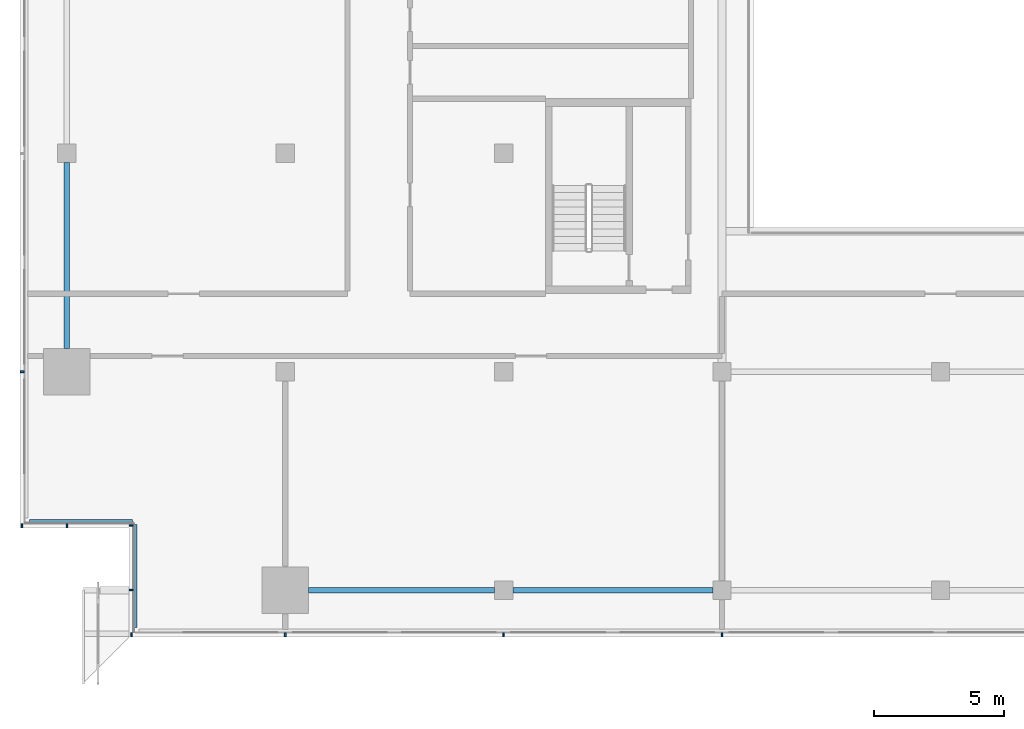
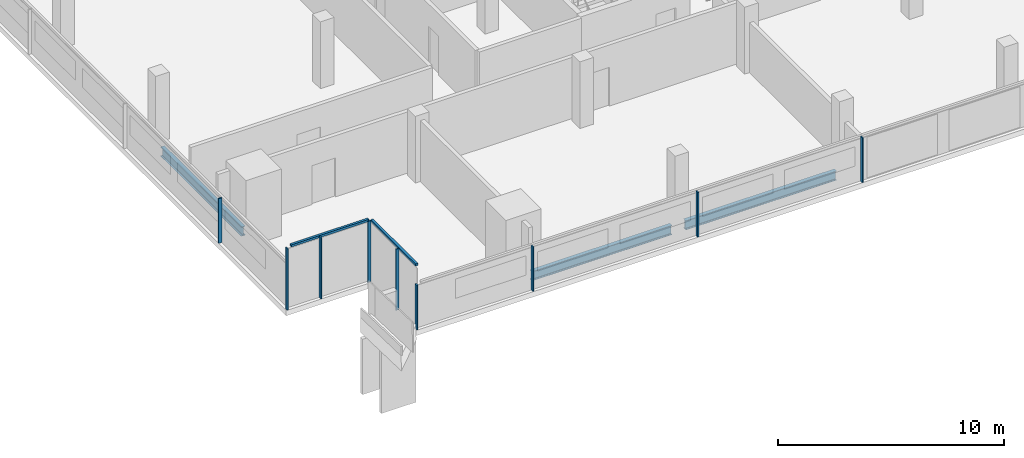
# One storey, part 2 of 24: 11 members, 3 beams, 4 elements without a shape of their own.
"""IFC4 building model written with IfcOpenShell, lengths in metres."""

from ifc_helpers import new_model, si_unit, direction, frame, origin, origin_2d, place, context, subcontext, project, spatial, rectangle, i_section, extrude, material, material_profile, profile_set, type_object, element, aggregate, save


model = new_model("IFC4")

# Units and contexts
model_context = context("Model", 3, precision=1e-05, world=origin(), true_north=direction((0.0, 1.0)))
body_context = subcontext(model_context, "Body", "Model", "MODEL_VIEW")
ifc_project = project(units=[si_unit("LENGTHUNIT", "METRE"), si_unit("AREAUNIT", "SQUARE_METRE"), si_unit("VOLUMEUNIT", "CUBIC_METRE"), si_unit("PLANEANGLEUNIT", "RADIAN"), si_unit("MASSUNIT", "GRAM", prefix="KILO")], contexts=[model_context])

# Site, building, storey
site_placement = place(None, origin())
site = spatial("IfcSite", under=ifc_project, at=site_placement, CompositionType="ELEMENT")
building_placement = place(site_placement, origin())
building = spatial("IfcBuilding", under=site, at=building_placement, Name="Saffron Gate Tower", CompositionType="ELEMENT")
storey_placement = place(building_placement, frame((0.0, 0.0, 190.64990234375)))
storey = spatial("IfcBuildingStorey", under=building, at=storey_placement, Name="L47", CompositionType="ELEMENT", Elevation=190.64990234375)

# Beams
ifc_material_1 = material(Name="Structural steel S355", Category="steel")
ifc_material_profile_1 = material_profile(ifc_material_1, i_section(OverallWidth=0.199951171875, OverallDepth=0.5, WebThickness=0.01025390625, FlangeThickness=0.01611328125, FilletRadius=0.02099609375, at=origin_2d()))
ifc_profile_set_1 = profile_set([ifc_material_profile_1], Name="Structural steel S355")
beam_type = type_object("IfcBeamType", Name="B11 IPE 500", PredefinedType="SPANDREL", material=ifc_profile_set_1)
for number, where, z_axis, x_axis, name in (
    (1, (49.800048828125, 41.10009765625, -0.52978515625), (0.0, 1.0, 0.0), (-1.0, 0.0, 0.0), "B11 SPANDREL BEAM"),
    (2, (59.10009765625, 31.800048828125, -0.52978515625), (1.0, 0.0, 0.0), (0.0, 1.0, 0.0), "B11 SPANDREL BEAM"),
):
    element("IfcBeam", number, at=place(storey_placement, frame(where, z_axis=z_axis, x_axis=x_axis)), inside=storey, type_object=beam_type, Name=name, PredefinedType="SPANDREL", context=body_context, shape_type="SweptSolid", body=[
        extrude(i_section(OverallWidth=0.199951171875, OverallDepth=0.5, WebThickness=0.01025390625, FlangeThickness=0.01611328125, FilletRadius=0.02099609375, at=origin_2d()), origin(), (0.0, 0.0, 1.0), 7.14990234375),
    ])
beam_placement = place(storey_placement, frame((66.949951171875, 31.800048828125, -0.52978515625), z_axis=(1.0, 0.0, 0.0), x_axis=(0.0, 1.0, 0.0)))
element("IfcBeam", 3, at=beam_placement, inside=storey, type_object=beam_type, Name="B11 SPANDREL BEAM", PredefinedType="SPANDREL", context=body_context, shape_type="SweptSolid", body=[
    extrude(i_section(OverallWidth=0.199951171875, OverallDepth=0.5, WebThickness=0.01025390625, FlangeThickness=0.01611328125, FilletRadius=0.02099609375, at=origin_2d()), origin(), (0.0, 0.0, 1.0), 7.699951171875),
])

# Curtain wall, members
ifc_material_2 = material(Name="Aluminium, bronze anodised", Category="aluminium")
curtain_wall_type_1 = type_object("IfcCurtainWallType", Name="CWS1 curtain wall front facade", PredefinedType="NOTDEFINED", material=ifc_material_2)
curtain_wall_1_placement = place(storey_placement, origin())
curtain_wall_1 = element("IfcCurtainWall", 4, at=curtain_wall_1_placement, inside=storey, type_object=curtain_wall_type_1, Name="CWS1 run 1", PredefinedType="NOTDEFINED")
ifc_material_profile_2 = material_profile(ifc_material_2, rectangle(XDim=0.159912109375, YDim=0.06005859375, at=origin_2d()))
ifc_profile_set_2 = profile_set([ifc_material_profile_2], Name="Aluminium, bronze anodised")
member_type_1 = type_object("IfcMemberType", Name="CWS1 mullion 60x160", PredefinedType="MULLION", material=ifc_profile_set_2)
member_1_placement = place(storey_placement, frame((52.280029296875, 30.080078125, 0.0), z_axis=(0.0, 0.0, 1.0), x_axis=(0.0, 1.0, 0.0)))
member_1 = element("IfcMember", 5, at=member_1_placement, type_object=member_type_1, Name="CWS1 mullion 1", PredefinedType="MULLION", context=body_context, shape_type="SweptSolid", body=[
    extrude(rectangle(XDim=0.159912109375, YDim=0.06005859375, at=origin_2d()), origin(), (0.0, 0.0, 1.0), 2.41015625),
])
member_2_placement = place(storey_placement, frame((58.199951171875, 30.080078125, 0.0), z_axis=(0.0, 0.0, 1.0), x_axis=(0.0, 1.0, 0.0)))
member_2 = element("IfcMember", 6, at=member_2_placement, type_object=member_type_1, Name="CWS1 mullion 2", PredefinedType="MULLION", context=body_context, shape_type="SweptSolid", body=[
    extrude(rectangle(XDim=0.159912109375, YDim=0.06005859375, at=origin_2d()), origin(), (0.0, 0.0, 1.0), 2.41015625),
])
member_3_placement = place(storey_placement, frame((66.60009765625, 30.080078125, 0.0), z_axis=(0.0, 0.0, 1.0), x_axis=(0.0, 1.0, 0.0)))
member_3 = element("IfcMember", 7, at=member_3_placement, type_object=member_type_1, Name="CWS1 mullion 3", PredefinedType="MULLION", context=body_context, shape_type="SweptSolid", body=[
    extrude(rectangle(XDim=0.159912109375, YDim=0.06005859375, at=origin_2d()), origin(), (0.0, 0.0, 1.0), 2.41015625),
])
member_4_placement = place(storey_placement, frame((75.0, 30.080078125, 0.0), z_axis=(0.0, 0.0, 1.0), x_axis=(0.0, 1.0, 0.0)))
member_4 = element("IfcMember", 8, at=member_4_placement, type_object=member_type_1, Name="CWS1 mullion 4", PredefinedType="MULLION", context=body_context, shape_type="SweptSolid", body=[
    extrude(rectangle(XDim=0.159912109375, YDim=0.06005859375, at=origin_2d()), origin(), (0.0, 0.0, 1.0), 2.41015625),
])
aggregate(curtain_wall_1, [member_1, member_2, member_3, member_4])

# Curtain wall, member
curtain_wall_type_2 = type_object("IfcCurtainWallType", Name="CWS2 curtain wall side facades", PredefinedType="NOTDEFINED", material=ifc_material_2)
curtain_wall_2_placement = place(storey_placement, origin())
curtain_wall_2 = element("IfcCurtainWall", 9, at=curtain_wall_2_placement, inside=storey, type_object=curtain_wall_type_2, Name="CWS2 run 10", PredefinedType="NOTDEFINED")
ifc_material_profile_3 = material_profile(ifc_material_2, rectangle(XDim=0.159912109375, YDim=0.06005859375, at=origin_2d()))
ifc_profile_set_3 = profile_set([ifc_material_profile_3], Name="Aluminium, bronze anodised")
member_type_2 = type_object("IfcMemberType", Name="CWS2 mullion 60x160", PredefinedType="MULLION", material=ifc_profile_set_3)
member_5_placement = place(storey_placement, frame((48.080078125, 40.199951171875, 0.0), z_axis=(0.0, 0.0, 1.0), x_axis=(1.0, 0.0, 0.0)))
member_5 = element("IfcMember", 10, at=member_5_placement, type_object=member_type_2, Name="CWS2 mullion 5", PredefinedType="MULLION", context=body_context, shape_type="SweptSolid", body=[
    extrude(rectangle(XDim=0.159912109375, YDim=0.06005859375, at=origin_2d()), origin(), (0.0, 0.0, 1.0), 2.41015625),
])
aggregate(curtain_wall_2, [member_5])

curtain_wall_type_3 = type_object("IfcCurtainWallType", Name="CWS4 curtain wall corner returns", PredefinedType="NOTDEFINED", material=ifc_material_2)
curtain_wall_3_placement = place(storey_placement, origin())
curtain_wall_3 = element("IfcCurtainWall", 11, at=curtain_wall_3_placement, inside=storey, type_object=curtain_wall_type_3, Name="CWS4 run 11", PredefinedType="NOTDEFINED")
ifc_material_profile_4 = material_profile(ifc_material_2, rectangle(XDim=0.1201171875, YDim=0.1201171875, at=origin_2d()))
ifc_profile_set_4 = profile_set([ifc_material_profile_4], Name="Aluminium, bronze anodised")
member_type_3 = type_object("IfcMemberType", Name="CWS4 head transom", PredefinedType="USERDEFINED", material=ifc_profile_set_4)
member_6_placement = place(storey_placement, frame((48.367919921875, 34.447998046875, 3.239990234375), z_axis=(1.0, 0.0, 0.0), x_axis=(0.0, 1.0, 0.0)))
member_6 = element("IfcMember", 12, at=member_6_placement, type_object=member_type_3, Name="CWS4 head transom", ObjectType="TRANSOM", PredefinedType="USERDEFINED", context=body_context, shape_type="SweptSolid", body=[
    extrude(rectangle(XDim=0.1201171875, YDim=0.1201171875, at=origin_2d()), origin(), (0.0, 0.0, 1.0), 3.9599609375),
])

curtain_wall_4_placement = place(storey_placement, origin())
curtain_wall_4 = element("IfcCurtainWall", 13, at=curtain_wall_4_placement, inside=storey, type_object=curtain_wall_type_3, Name="CWS4 run 12", PredefinedType="NOTDEFINED")
member_7_placement = place(storey_placement, frame((52.447998046875, 34.327880859375, 3.239990234375), z_axis=(0.0, -1.0, 0.0), x_axis=(1.0, 0.0, 0.0)))
member_7 = element("IfcMember", 14, at=member_7_placement, type_object=member_type_3, Name="CWS4 head transom", ObjectType="TRANSOM", PredefinedType="USERDEFINED", context=body_context, shape_type="SweptSolid", body=[
    extrude(rectangle(XDim=0.1201171875, YDim=0.1201171875, at=origin_2d()), origin(), (0.0, 0.0, 1.0), 3.9599609375),
])

# Member
ifc_material_profile_5 = material_profile(ifc_material_2, rectangle(XDim=0.159912109375, YDim=0.06005859375, at=origin_2d()))
ifc_profile_set_5 = profile_set([ifc_material_profile_5], Name="Aluminium, bronze anodised")
member_type_4 = type_object("IfcMemberType", Name="CWS4 mullion 60x160", PredefinedType="MULLION", material=ifc_profile_set_5)
member_8_placement = place(storey_placement, frame((48.080078125, 34.280029296875, 0.0), z_axis=(0.0, 0.0, 1.0), x_axis=(0.0, 1.0, 0.0)))
member_8 = element("IfcMember", 15, at=member_8_placement, type_object=member_type_4, Name="CWS4 mullion 1", PredefinedType="MULLION", context=body_context, shape_type="SweptSolid", body=[
    extrude(rectangle(XDim=0.159912109375, YDim=0.06005859375, at=origin_2d()), origin(), (0.0, 0.0, 1.0), 3.300048828125),
])

member_9_placement = place(storey_placement, frame((49.800048828125, 34.280029296875, 0.0), z_axis=(0.0, 0.0, 1.0), x_axis=(0.0, 1.0, 0.0)))
member_9 = element("IfcMember", 16, at=member_9_placement, type_object=member_type_4, Name="CWS4 mullion 2", PredefinedType="MULLION", context=body_context, shape_type="SweptSolid", body=[
    extrude(rectangle(XDim=0.159912109375, YDim=0.06005859375, at=origin_2d()), origin(), (0.0, 0.0, 1.0), 3.300048828125),
])

aggregate(curtain_wall_3, [member_8, member_9, member_6])

member_10_placement = place(storey_placement, frame((52.280029296875, 34.280029296875, 0.0), z_axis=(0.0, 0.0, 1.0), x_axis=(1.0, 0.0, 0.0)))
member_10 = element("IfcMember", 17, at=member_10_placement, type_object=member_type_4, Name="CWS4 mullion 1", PredefinedType="MULLION", context=body_context, shape_type="SweptSolid", body=[
    extrude(rectangle(XDim=0.159912109375, YDim=0.06005859375, at=origin_2d()), origin(), (0.0, 0.0, 1.0), 3.300048828125),
])

member_11_placement = place(storey_placement, frame((52.280029296875, 31.800048828125, 0.0), z_axis=(0.0, 0.0, 1.0), x_axis=(1.0, 0.0, 0.0)))
member_11 = element("IfcMember", 18, at=member_11_placement, type_object=member_type_4, Name="CWS4 mullion 2", PredefinedType="MULLION", context=body_context, shape_type="SweptSolid", body=[
    extrude(rectangle(XDim=0.159912109375, YDim=0.06005859375, at=origin_2d()), origin(), (0.0, 0.0, 1.0), 3.300048828125),
])

aggregate(curtain_wall_4, [member_10, member_11, member_7])

save(model, "model.ifc")
